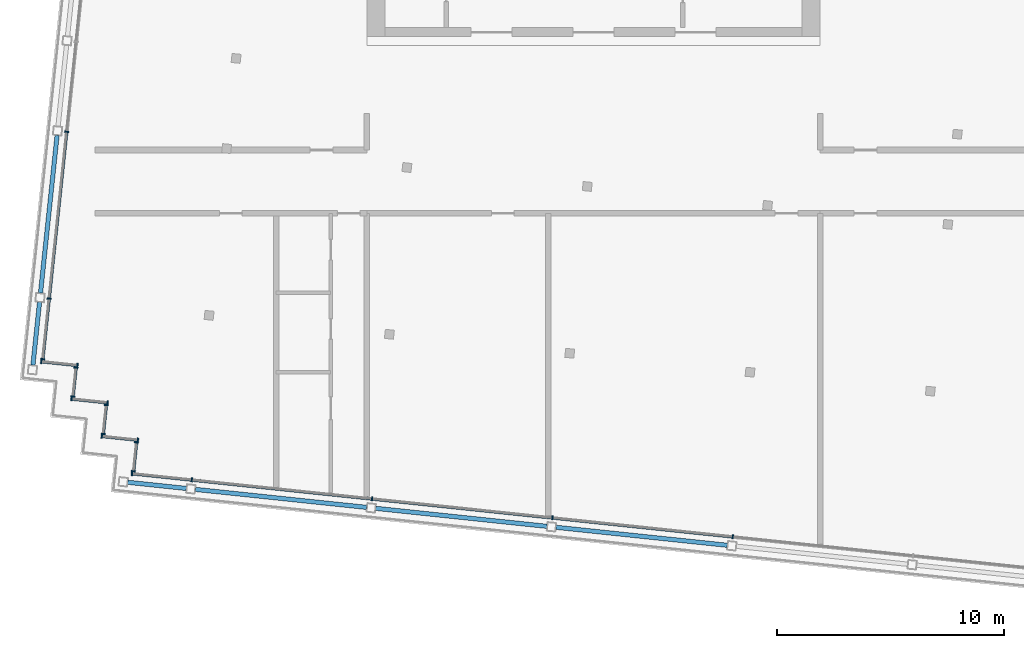
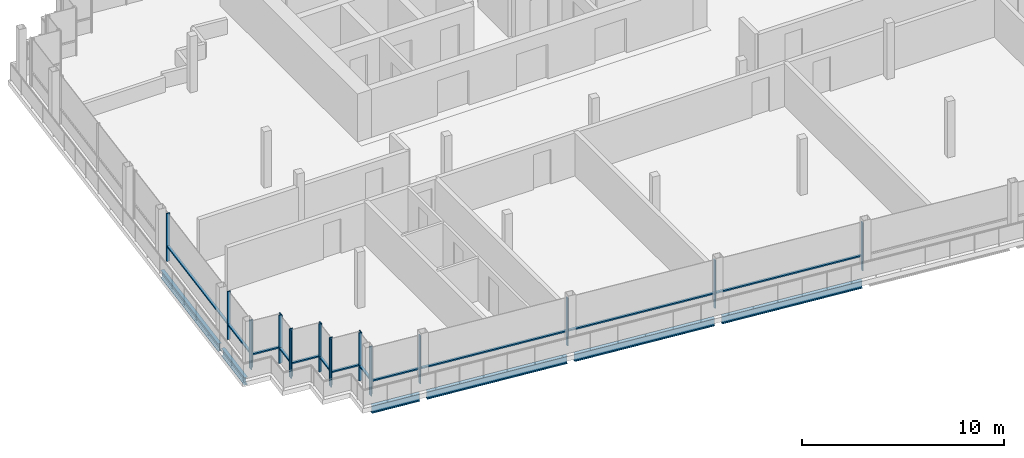
# One storey, part 3 of 15: 32 members, 6 beams, 8 elements without a shape of their own.
"""IFC4 building model written with IfcOpenShell, lengths in metres."""

from ifc_helpers import new_model, si_unit, direction, frame, origin, origin_2d, place, context, subcontext, project, spatial, rectangle, i_section, extrude, material, material_profile, profile_set, type_object, element, aggregate, save


model = new_model("IFC4")

# Units and contexts
model_context = context("Model", 3, precision=1e-05, world=origin(), true_north=direction((0.0, 1.0)))
body_context = subcontext(model_context, "Body", "Model", "MODEL_VIEW")
ifc_project = project(units=[si_unit("LENGTHUNIT", "METRE"), si_unit("AREAUNIT", "SQUARE_METRE"), si_unit("VOLUMEUNIT", "CUBIC_METRE"), si_unit("PLANEANGLEUNIT", "RADIAN"), si_unit("MASSUNIT", "GRAM", prefix="KILO")], contexts=[model_context])

# Site, building, storey
site_placement = place(None, origin())
site = spatial("IfcSite", under=ifc_project, at=site_placement, CompositionType="ELEMENT")
building_placement = place(site_placement, origin())
building = spatial("IfcBuilding", under=site, at=building_placement, Name="Vidyagriha Tower", CompositionType="ELEMENT")
storey_placement = place(building_placement, frame((0.0, 0.0, 298.300048828125)))
storey = spatial("IfcBuildingStorey", under=building, at=storey_placement, Name="L77", CompositionType="ELEMENT", Elevation=298.300048828125)

# Beams
ifc_material_1 = material(Name="Steel ASTM A992 Grade 50", Category="steel")
ifc_material_profile_1 = material_profile(ifc_material_1, i_section(OverallWidth=0.19189453125, OverallDepth=0.46240234375, WebThickness=0.010498046875, FlangeThickness=0.017578125, at=origin_2d()), Name="W18X60")
ifc_profile_set_1 = profile_set([ifc_material_profile_1], Name="Steel ASTM A992 Grade 50")
beam_type = type_object("IfcBeamType", Name="Edge beam W18X60", PredefinedType="SPANDREL", material=ifc_profile_set_1)
beam_1_placement = place(storey_placement, frame((-20.552978515625, -13.263427734375, -0.51123046875), z_axis=(0.99451368233, -0.104606575594, 0.0), x_axis=(0.104606575594, 0.99451368233, 0.0)))
element("IfcBeam", 1, at=beam_1_placement, inside=storey, type_object=beam_type, Name="st-beam-L77-S01", PredefinedType="SPANDREL", context=body_context, shape_type="SweptSolid", body=[
    extrude(i_section(OverallWidth=0.19189453125, OverallDepth=0.46240234375, WebThickness=0.010498046875, FlangeThickness=0.017578125, at=origin_2d()), origin(), (0.0, 0.0, 1.0), 2.599853515625),
])
for number, where, z_axis, x_axis, name in (
    (2, (-17.569580078125, -13.5771484375, -0.51123046875), (0.994521634953, -0.104530940926, 0.0), (0.104530940926, 0.994521634953, 0.0), "st-beam-L77-S02"),
    (3, (-9.61328125, -14.413330078125, -0.51123046875), (0.994521634953, -0.104530940926, 0.0), (0.104530940926, 0.994521634953, 0.0), "st-beam-L77-S03"),
    (4, (-1.6572265625, -15.24951171875, -0.51123046875), (0.994521634953, -0.104530940926, 0.0), (0.104530940926, 0.994521634953, 0.0), "st-beam-L77-S04"),
):
    element("IfcBeam", number, at=place(storey_placement, frame(where, z_axis=z_axis, x_axis=x_axis)), inside=storey, type_object=beam_type, Name=name, PredefinedType="SPANDREL", context=body_context, shape_type="SweptSolid", body=[
        extrude(i_section(OverallWidth=0.19189453125, OverallDepth=0.46240234375, WebThickness=0.010498046875, FlangeThickness=0.017578125, at=origin_2d()), origin(), (0.0, 0.0, 1.0), 7.60009765625),
    ])
beam_2_placement = place(storey_placement, frame((-24.736083984375, -8.097900390625, -0.51123046875), z_axis=(0.104544080685, 0.994520253788, 0.0), x_axis=(-0.994520253788, 0.104544080685, 0.0)))
element("IfcBeam", 5, at=beam_2_placement, inside=storey, type_object=beam_type, Name="st-beam-L77-W08", PredefinedType="SPANDREL", context=body_context, shape_type="SweptSolid", body=[
    extrude(i_section(OverallWidth=0.19189453125, OverallDepth=0.46240234375, WebThickness=0.010498046875, FlangeThickness=0.017578125, at=origin_2d()), origin(), (0.0, 0.0, 1.0), 2.800048828125),
])
beam_3_placement = place(storey_placement, frame((-24.401611328125, -4.91552734375, -0.51123046875), z_axis=(0.104526832686, 0.994522066748, 0.0), x_axis=(-0.994522066748, 0.104526832686, 0.0)))
element("IfcBeam", 6, at=beam_3_placement, inside=storey, type_object=beam_type, Name="st-beam-L77-W09", PredefinedType="SPANDREL", context=body_context, shape_type="SweptSolid", body=[
    extrude(i_section(OverallWidth=0.19189453125, OverallDepth=0.46240234375, WebThickness=0.010498046875, FlangeThickness=0.017578125, at=origin_2d()), origin(), (0.0, 0.0, 1.0), 7.0),
])

# Curtain wall, members
ifc_material_2 = material(Name="Aluminium and glass curtain wall", Category="aluminium")
curtain_wall_type = type_object("IfcCurtainWallType", Name="Lantern glazing wall", PredefinedType="USERDEFINED", material=ifc_material_2)
curtain_wall_1_placement = place(storey_placement, origin())
curtain_wall_1 = element("IfcCurtainWall", 7, at=curtain_wall_1_placement, inside=storey, type_object=curtain_wall_type, Name="CW4 lantern glazing", ObjectType="STICK GLAZING", PredefinedType="USERDEFINED")
ifc_material_3 = material(Name="Aluminium black anodised", Category="aluminium")
ifc_material_profile_2 = material_profile(ifc_material_3, rectangle(XDim=0.179931640625, YDim=0.06005859375, at=origin_2d()), Name="Mullion 60x180 black aluminium")
ifc_profile_set_2 = profile_set([ifc_material_profile_2], Name="Aluminium black anodised")
member_type_1 = type_object("IfcMemberType", Name="Mullion 60x180 black aluminium", PredefinedType="MULLION", material=ifc_profile_set_2)
member_1_placement = place(storey_placement, frame((-23.251220703125, 2.203125, 0.0), z_axis=(0.0, 0.0, 1.0), x_axis=(0.994522018715, -0.104527289697, 0.0)))
member_1 = element("IfcMember", 8, at=member_1_placement, type_object=member_type_1, Name="CW4 mullion 5", PredefinedType="MULLION", context=body_context, shape_type="SweptSolid", body=[
    extrude(rectangle(XDim=0.179931640625, YDim=0.06005859375, at=origin_2d()), origin(), (0.0, 0.0, 1.0), 2.89990234375),
])
member_2_placement = place(storey_placement, frame((-24.024658203125, -5.15625, 0.0), z_axis=(0.0, 0.0, 1.0), x_axis=(0.994522018715, -0.104527289697, 0.0)))
member_2 = element("IfcMember", 9, at=member_2_placement, type_object=member_type_1, Name="CW4 mullion 6", PredefinedType="MULLION", context=body_context, shape_type="SweptSolid", body=[
    extrude(rectangle(XDim=0.179931640625, YDim=0.06005859375, at=origin_2d()), origin(), (0.0, 0.0, 1.0), 2.89990234375),
])
member_3_placement = place(storey_placement, frame((-24.305908203125, -7.83154296875, 0.0), z_axis=(0.0, 0.0, 1.0), x_axis=(0.994522018715, -0.104527289697, 0.0)))
member_3 = element("IfcMember", 10, at=member_3_placement, type_object=member_type_1, Name="CW4 mullion 7", PredefinedType="MULLION", context=body_context, shape_type="SweptSolid", body=[
    extrude(rectangle(XDim=0.179931640625, YDim=0.06005859375, at=origin_2d()), origin(), (0.0, 0.0, 1.0), 2.89990234375),
])

curtain_wall_2_placement = place(storey_placement, origin())
curtain_wall_2 = element("IfcCurtainWall", 11, at=curtain_wall_2_placement, inside=storey, type_object=curtain_wall_type, Name="CW4 lantern glazing", ObjectType="STICK GLAZING", PredefinedType="USERDEFINED")
member_4_placement = place(storey_placement, frame((-24.366943359375, -7.935546875, 0.0), z_axis=(0.0, 0.0, 1.0), x_axis=(0.104518583201, 0.994522933756, 0.0)))
member_4 = element("IfcMember", 12, at=member_4_placement, type_object=member_type_1, Name="CW4 mullion 1", PredefinedType="MULLION", context=body_context, shape_type="SweptSolid", body=[
    extrude(rectangle(XDim=0.179931640625, YDim=0.06005859375, at=origin_2d()), origin(), (0.0, 0.0, 1.0), 2.89990234375),
])
member_5_placement = place(storey_placement, frame((-22.77587890625, -8.102783203125, 0.0), z_axis=(0.0, 0.0, 1.0), x_axis=(0.104518583201, 0.994522933756, 0.0)))
member_5 = element("IfcMember", 13, at=member_5_placement, type_object=member_type_1, Name="CW4 mullion 2", PredefinedType="MULLION", context=body_context, shape_type="SweptSolid", body=[
    extrude(rectangle(XDim=0.179931640625, YDim=0.06005859375, at=origin_2d()), origin(), (0.0, 0.0, 1.0), 2.89990234375),
])

curtain_wall_3_placement = place(storey_placement, origin())
curtain_wall_3 = element("IfcCurtainWall", 14, at=curtain_wall_3_placement, inside=storey, type_object=curtain_wall_type, Name="CW4 lantern glazing", ObjectType="STICK GLAZING", PredefinedType="USERDEFINED")
member_6_placement = place(storey_placement, frame((-22.837158203125, -8.20703125, 0.0), z_axis=(0.0, 0.0, 1.0), x_axis=(0.994518939392, -0.104556583677, 0.0)))
member_6 = element("IfcMember", 15, at=member_6_placement, type_object=member_type_1, Name="CW4 mullion 1", PredefinedType="MULLION", context=body_context, shape_type="SweptSolid", body=[
    extrude(rectangle(XDim=0.179931640625, YDim=0.06005859375, at=origin_2d()), origin(), (0.0, 0.0, 1.0), 2.89990234375),
])
member_7_placement = place(storey_placement, frame((-22.970947265625, -9.47998046875, 0.0), z_axis=(0.0, 0.0, 1.0), x_axis=(0.994518939392, -0.104556583677, 0.0)))
member_7 = element("IfcMember", 16, at=member_7_placement, type_object=member_type_1, Name="CW4 mullion 2", PredefinedType="MULLION", context=body_context, shape_type="SweptSolid", body=[
    extrude(rectangle(XDim=0.179931640625, YDim=0.06005859375, at=origin_2d()), origin(), (0.0, 0.0, 1.0), 2.89990234375),
])

curtain_wall_4_placement = place(storey_placement, origin())
curtain_wall_4 = element("IfcCurtainWall", 17, at=curtain_wall_4_placement, inside=storey, type_object=curtain_wall_type, Name="CW4 lantern glazing", ObjectType="STICK GLAZING", PredefinedType="USERDEFINED")
member_8_placement = place(storey_placement, frame((-23.031982421875, -9.584228515625, 0.0), z_axis=(0.0, 0.0, 1.0), x_axis=(0.104458999463, 0.994529193856, 0.0)))
member_8 = element("IfcMember", 18, at=member_8_placement, type_object=member_type_1, Name="CW4 mullion 1", PredefinedType="MULLION", context=body_context, shape_type="SweptSolid", body=[
    extrude(rectangle(XDim=0.179931640625, YDim=0.06005859375, at=origin_2d()), origin(), (0.0, 0.0, 1.0), 2.89990234375),
])
member_9_placement = place(storey_placement, frame((-21.44091796875, -9.75146484375, 0.0), z_axis=(0.0, 0.0, 1.0), x_axis=(0.104458999463, 0.994529193856, 0.0)))
member_9 = element("IfcMember", 19, at=member_9_placement, type_object=member_type_1, Name="CW4 mullion 2", PredefinedType="MULLION", context=body_context, shape_type="SweptSolid", body=[
    extrude(rectangle(XDim=0.179931640625, YDim=0.06005859375, at=origin_2d()), origin(), (0.0, 0.0, 1.0), 2.89990234375),
])

curtain_wall_5_placement = place(storey_placement, origin())
curtain_wall_5 = element("IfcCurtainWall", 20, at=curtain_wall_5_placement, inside=storey, type_object=curtain_wall_type, Name="CW4 lantern glazing", ObjectType="STICK GLAZING", PredefinedType="USERDEFINED")
member_10_placement = place(storey_placement, frame((-21.501953125, -9.85546875, 0.0), z_axis=(0.0, 0.0, 1.0), x_axis=(0.994519755162, -0.104548823962, 0.0)))
member_10 = element("IfcMember", 21, at=member_10_placement, type_object=member_type_1, Name="CW4 mullion 1", PredefinedType="MULLION", context=body_context, shape_type="SweptSolid", body=[
    extrude(rectangle(XDim=0.179931640625, YDim=0.06005859375, at=origin_2d()), origin(), (0.0, 0.0, 1.0), 2.89990234375),
])
member_11_placement = place(storey_placement, frame((-21.6357421875, -11.128662109375, 0.0), z_axis=(0.0, 0.0, 1.0), x_axis=(0.994519755162, -0.104548823962, 0.0)))
member_11 = element("IfcMember", 22, at=member_11_placement, type_object=member_type_1, Name="CW4 mullion 2", PredefinedType="MULLION", context=body_context, shape_type="SweptSolid", body=[
    extrude(rectangle(XDim=0.179931640625, YDim=0.06005859375, at=origin_2d()), origin(), (0.0, 0.0, 1.0), 2.89990234375),
])

curtain_wall_6_placement = place(storey_placement, origin())
curtain_wall_6 = element("IfcCurtainWall", 23, at=curtain_wall_6_placement, inside=storey, type_object=curtain_wall_type, Name="CW4 lantern glazing", ObjectType="STICK GLAZING", PredefinedType="USERDEFINED")
member_12_placement = place(storey_placement, frame((-21.697021484375, -11.232666015625, 0.0), z_axis=(0.0, 0.0, 1.0), x_axis=(0.104518583201, 0.994522933756, 0.0)))
member_12 = element("IfcMember", 24, at=member_12_placement, type_object=member_type_1, Name="CW4 mullion 1", PredefinedType="MULLION", context=body_context, shape_type="SweptSolid", body=[
    extrude(rectangle(XDim=0.179931640625, YDim=0.06005859375, at=origin_2d()), origin(), (0.0, 0.0, 1.0), 2.89990234375),
])
member_13_placement = place(storey_placement, frame((-20.10595703125, -11.39990234375, 0.0), z_axis=(0.0, 0.0, 1.0), x_axis=(0.104518583201, 0.994522933756, 0.0)))
member_13 = element("IfcMember", 25, at=member_13_placement, type_object=member_type_1, Name="CW4 mullion 2", PredefinedType="MULLION", context=body_context, shape_type="SweptSolid", body=[
    extrude(rectangle(XDim=0.179931640625, YDim=0.06005859375, at=origin_2d()), origin(), (0.0, 0.0, 1.0), 2.89990234375),
])

curtain_wall_7_placement = place(storey_placement, origin())
curtain_wall_7 = element("IfcCurtainWall", 26, at=curtain_wall_7_placement, inside=storey, type_object=curtain_wall_type, Name="CW4 lantern glazing", ObjectType="STICK GLAZING", PredefinedType="USERDEFINED")
member_14_placement = place(storey_placement, frame((-20.1669921875, -11.504150390625, 0.0), z_axis=(0.0, 0.0, 1.0), x_axis=(0.994518939392, -0.104556583677, 0.0)))
member_14 = element("IfcMember", 27, at=member_14_placement, type_object=member_type_1, Name="CW4 mullion 1", PredefinedType="MULLION", context=body_context, shape_type="SweptSolid", body=[
    extrude(rectangle(XDim=0.179931640625, YDim=0.06005859375, at=origin_2d()), origin(), (0.0, 0.0, 1.0), 2.89990234375),
])
member_15_placement = place(storey_placement, frame((-20.30078125, -12.777099609375, 0.0), z_axis=(0.0, 0.0, 1.0), x_axis=(0.994518939392, -0.104556583677, 0.0)))
member_15 = element("IfcMember", 28, at=member_15_placement, type_object=member_type_1, Name="CW4 mullion 2", PredefinedType="MULLION", context=body_context, shape_type="SweptSolid", body=[
    extrude(rectangle(XDim=0.179931640625, YDim=0.06005859375, at=origin_2d()), origin(), (0.0, 0.0, 1.0), 2.89990234375),
])

curtain_wall_8_placement = place(storey_placement, origin())
curtain_wall_8 = element("IfcCurtainWall", 29, at=curtain_wall_8_placement, inside=storey, type_object=curtain_wall_type, Name="CW4 lantern glazing", ObjectType="STICK GLAZING", PredefinedType="USERDEFINED")
member_16_placement = place(storey_placement, frame((-20.362060546875, -12.88134765625, 0.0), z_axis=(0.0, 0.0, 1.0), x_axis=(0.104528251556, 0.99452191762, 0.0)))
member_16 = element("IfcMember", 30, at=member_16_placement, type_object=member_type_1, Name="CW4 mullion 1", PredefinedType="MULLION", context=body_context, shape_type="SweptSolid", body=[
    extrude(rectangle(XDim=0.179931640625, YDim=0.06005859375, at=origin_2d()), origin(), (0.0, 0.0, 1.0), 2.89990234375),
])
member_17_placement = place(storey_placement, frame((-17.7265625, -13.158447265625, 0.0), z_axis=(0.0, 0.0, 1.0), x_axis=(0.104528251556, 0.99452191762, 0.0)))
member_17 = element("IfcMember", 31, at=member_17_placement, type_object=member_type_1, Name="CW4 mullion 2", PredefinedType="MULLION", context=body_context, shape_type="SweptSolid", body=[
    extrude(rectangle(XDim=0.179931640625, YDim=0.06005859375, at=origin_2d()), origin(), (0.0, 0.0, 1.0), 2.89990234375),
])
member_18_placement = place(storey_placement, frame((-9.7705078125, -13.99462890625, 0.0), z_axis=(0.0, 0.0, 1.0), x_axis=(0.104528251556, 0.99452191762, 0.0)))
member_18 = element("IfcMember", 32, at=member_18_placement, type_object=member_type_1, Name="CW4 mullion 3", PredefinedType="MULLION", context=body_context, shape_type="SweptSolid", body=[
    extrude(rectangle(XDim=0.179931640625, YDim=0.06005859375, at=origin_2d()), origin(), (0.0, 0.0, 1.0), 2.89990234375),
])
member_19_placement = place(storey_placement, frame((-1.814208984375, -14.830810546875, 0.0), z_axis=(0.0, 0.0, 1.0), x_axis=(0.104528251556, 0.99452191762, 0.0)))
member_19 = element("IfcMember", 33, at=member_19_placement, type_object=member_type_1, Name="CW4 mullion 4", PredefinedType="MULLION", context=body_context, shape_type="SweptSolid", body=[
    extrude(rectangle(XDim=0.179931640625, YDim=0.06005859375, at=origin_2d()), origin(), (0.0, 0.0, 1.0), 2.89990234375),
])
member_20_placement = place(storey_placement, frame((6.141845703125, -15.6669921875, 0.0), z_axis=(0.0, 0.0, 1.0), x_axis=(0.104528251556, 0.99452191762, 0.0)))
member_20 = element("IfcMember", 34, at=member_20_placement, type_object=member_type_1, Name="CW4 mullion 5", PredefinedType="MULLION", context=body_context, shape_type="SweptSolid", body=[
    extrude(rectangle(XDim=0.179931640625, YDim=0.06005859375, at=origin_2d()), origin(), (0.0, 0.0, 1.0), 2.89990234375),
])

# Member
ifc_material_4 = material(Name="Aluminium black anodised", Category="aluminium")
ifc_material_profile_3 = material_profile(ifc_material_4, rectangle(XDim=0.139892578125, YDim=0.080078125, at=origin_2d()), Name="Transom 80x140 black aluminium")
ifc_profile_set_3 = profile_set([ifc_material_profile_3], Name="Aluminium black anodised")
member_type_2 = type_object("IfcMemberType", Name="Transom 80x140 black aluminium", PredefinedType="USERDEFINED", material=ifc_profile_set_3)
member_21_placement = place(storey_placement, frame((-23.25439453125, 2.17333984375, 0.89990234375), z_axis=(-0.104508177052, -0.994524027326, 0.0), x_axis=(0.994524027326, -0.104508177052, 0.0)))
member_21 = element("IfcMember", 35, at=member_21_placement, type_object=member_type_2, Name="CW4 transom 5.1", ObjectType="TRANSOM", PredefinedType="USERDEFINED", context=body_context, shape_type="SweptSolid", body=[
    extrude(rectangle(XDim=0.139892578125, YDim=0.080078125, at=origin_2d()), origin(), (0.0, 0.0, 1.0), 7.340087890625),
])

member_22_placement = place(storey_placement, frame((-24.02783203125, -5.18603515625, 0.89990234375), z_axis=(-0.104530146087, -0.994521718495, 0.0), x_axis=(0.994521718495, -0.104530146087, 0.0)))
member_22 = element("IfcMember", 36, at=member_22_placement, type_object=member_type_2, Name="CW4 transom 6.1", ObjectType="TRANSOM", PredefinedType="USERDEFINED", context=body_context, shape_type="SweptSolid", body=[
    extrude(rectangle(XDim=0.139892578125, YDim=0.080078125, at=origin_2d()), origin(), (0.0, 0.0, 1.0), 2.6298828125),
])

aggregate(curtain_wall_1, [member_1, member_2, member_3, member_21, member_22])

member_23_placement = place(storey_placement, frame((-24.337158203125, -7.938720703125, 0.89990234375), z_axis=(0.994527149453, -0.104478461899, 0.0), x_axis=(0.104478461899, 0.994527149453, 0.0)))
member_23 = element("IfcMember", 37, at=member_23_placement, type_object=member_type_2, Name="CW4 transom 1.1", ObjectType="TRANSOM", PredefinedType="USERDEFINED", context=body_context, shape_type="SweptSolid", body=[
    extrude(rectangle(XDim=0.139892578125, YDim=0.080078125, at=origin_2d()), origin(), (0.0, 0.0, 1.0), 1.5400390625),
])

aggregate(curtain_wall_2, [member_4, member_5, member_23])

member_24_placement = place(storey_placement, frame((-22.840087890625, -8.237060546875, 0.89990234375), z_axis=(-0.104674366152, -0.994506549536, 0.0), x_axis=(0.994506549536, -0.104674366152, 0.0)))
member_24 = element("IfcMember", 38, at=member_24_placement, type_object=member_type_2, Name="CW4 transom 1.1", ObjectType="TRANSOM", PredefinedType="USERDEFINED", context=body_context, shape_type="SweptSolid", body=[
    extrude(rectangle(XDim=0.139892578125, YDim=0.080078125, at=origin_2d()), origin(), (0.0, 0.0, 1.0), 1.2197265625),
])

aggregate(curtain_wall_3, [member_6, member_7, member_24])

member_25_placement = place(storey_placement, frame((-23.002197265625, -9.58740234375, 0.89990234375), z_axis=(0.994527149453, -0.104478461899, 0.0), x_axis=(0.104478461899, 0.994527149453, 0.0)))
member_25 = element("IfcMember", 39, at=member_25_placement, type_object=member_type_2, Name="CW4 transom 1.1", ObjectType="TRANSOM", PredefinedType="USERDEFINED", context=body_context, shape_type="SweptSolid", body=[
    extrude(rectangle(XDim=0.139892578125, YDim=0.080078125, at=origin_2d()), origin(), (0.0, 0.0, 1.0), 1.5400390625),
])

aggregate(curtain_wall_4, [member_8, member_9, member_25])

member_26_placement = place(storey_placement, frame((-21.505126953125, -9.88525390625, 0.89990234375), z_axis=(-0.104653535604, -0.994508741784, 0.0), x_axis=(0.994508741784, -0.104653535604, 0.0)))
member_26 = element("IfcMember", 40, at=member_26_placement, type_object=member_type_2, Name="CW4 transom 1.1", ObjectType="TRANSOM", PredefinedType="USERDEFINED", context=body_context, shape_type="SweptSolid", body=[
    extrude(rectangle(XDim=0.139892578125, YDim=0.080078125, at=origin_2d()), origin(), (0.0, 0.0, 1.0), 1.219970703125),
])

aggregate(curtain_wall_5, [member_10, member_11, member_26])

member_27_placement = place(storey_placement, frame((-21.667236328125, -11.23583984375, 0.89990234375), z_axis=(0.994527149453, -0.104478461899, 0.0), x_axis=(0.104478461899, 0.994527149453, 0.0)))
member_27 = element("IfcMember", 41, at=member_27_placement, type_object=member_type_2, Name="CW4 transom 1.1", ObjectType="TRANSOM", PredefinedType="USERDEFINED", context=body_context, shape_type="SweptSolid", body=[
    extrude(rectangle(XDim=0.139892578125, YDim=0.080078125, at=origin_2d()), origin(), (0.0, 0.0, 1.0), 1.5400390625),
])

aggregate(curtain_wall_6, [member_12, member_13, member_27])

member_28_placement = place(storey_placement, frame((-20.170166015625, -11.5341796875, 0.89990234375), z_axis=(-0.104476410646, -0.994527364942, 0.0), x_axis=(0.994527364942, -0.104476410646, 0.0)))
member_28 = element("IfcMember", 42, at=member_28_placement, type_object=member_type_2, Name="CW4 transom 1.1", ObjectType="TRANSOM", PredefinedType="USERDEFINED", context=body_context, shape_type="SweptSolid", body=[
    extrude(rectangle(XDim=0.139892578125, YDim=0.080078125, at=origin_2d()), origin(), (0.0, 0.0, 1.0), 1.2197265625),
])

aggregate(curtain_wall_7, [member_14, member_15, member_28])

member_29_placement = place(storey_placement, frame((-20.332275390625, -12.884521484375, 0.89990234375), z_axis=(0.994521452323, -0.104532678478, 0.0), x_axis=(0.104532678478, 0.994521452323, 0.0)))
member_29 = element("IfcMember", 43, at=member_29_placement, type_object=member_type_2, Name="CW4 transom 1.1", ObjectType="TRANSOM", PredefinedType="USERDEFINED", context=body_context, shape_type="SweptSolid", body=[
    extrude(rectangle(XDim=0.139892578125, YDim=0.080078125, at=origin_2d()), origin(), (0.0, 0.0, 1.0), 2.590087890625),
])

member_30_placement = place(storey_placement, frame((-17.69677734375, -13.161376953125, 0.89990234375), z_axis=(0.994520269484, -0.10454393137, 0.0), x_axis=(0.10454393137, 0.994520269484, 0.0)))
member_30 = element("IfcMember", 44, at=member_30_placement, type_object=member_type_2, Name="CW4 transom 2.1", ObjectType="TRANSOM", PredefinedType="USERDEFINED", context=body_context, shape_type="SweptSolid", body=[
    extrude(rectangle(XDim=0.139892578125, YDim=0.080078125, at=origin_2d()), origin(), (0.0, 0.0, 1.0), 7.93994140625),
])

member_31_placement = place(storey_placement, frame((-9.740478515625, -13.997802734375, 0.89990234375), z_axis=(0.994523465953, -0.104513519069, 0.0), x_axis=(0.104513519069, 0.994523465953, 0.0)))
member_31 = element("IfcMember", 45, at=member_31_placement, type_object=member_type_2, Name="CW4 transom 3.1", ObjectType="TRANSOM", PredefinedType="USERDEFINED", context=body_context, shape_type="SweptSolid", body=[
    extrude(rectangle(XDim=0.139892578125, YDim=0.080078125, at=origin_2d()), origin(), (0.0, 0.0, 1.0), 7.93994140625),
])

member_32_placement = place(storey_placement, frame((-1.784423828125, -14.833984375, 0.89990234375), z_axis=(0.994523465953, -0.104513519069, 0.0), x_axis=(0.104513519069, 0.994523465953, 0.0)))
member_32 = element("IfcMember", 46, at=member_32_placement, type_object=member_type_2, Name="CW4 transom 4.1", ObjectType="TRANSOM", PredefinedType="USERDEFINED", context=body_context, shape_type="SweptSolid", body=[
    extrude(rectangle(XDim=0.139892578125, YDim=0.080078125, at=origin_2d()), origin(), (0.0, 0.0, 1.0), 7.93994140625),
])

aggregate(curtain_wall_8, [member_16, member_17, member_18, member_19, member_20, member_29, member_30, member_31, member_32])

save(model, "model.ifc")
